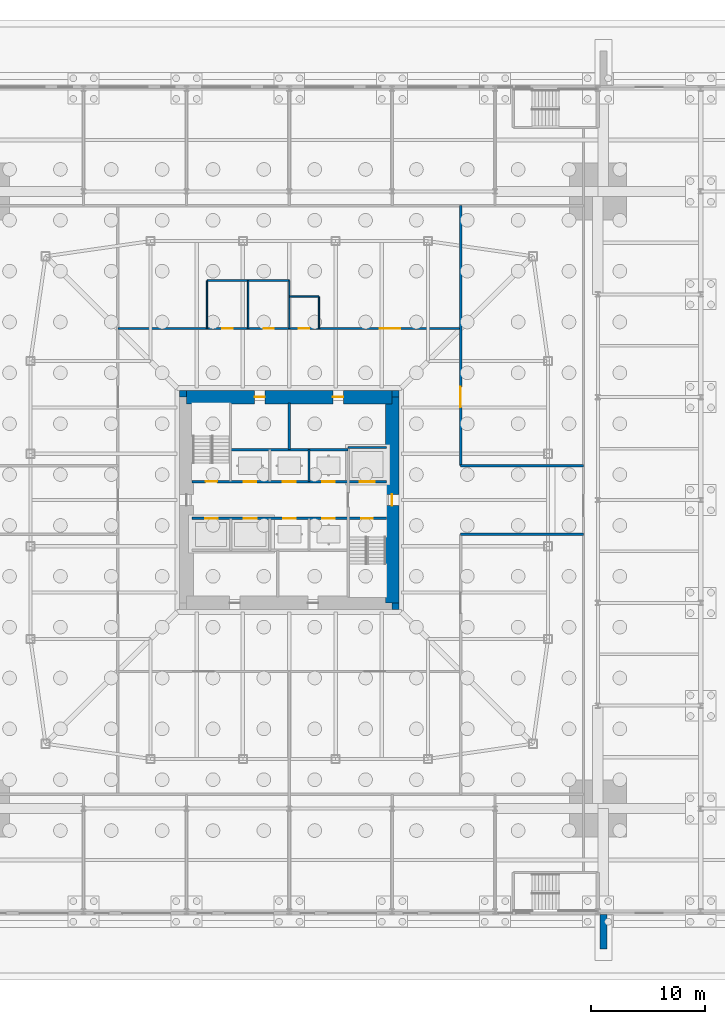
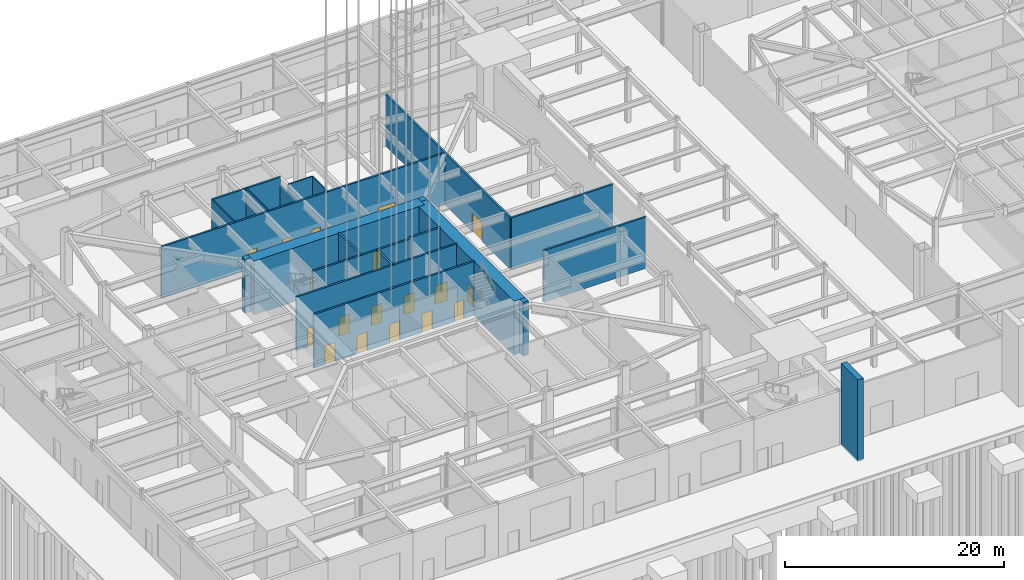
# One storey, part 15 of 37: 22 walls, 18 doors, 18 openings.
"""IFC4 building model written with IfcOpenShell, lengths in metres."""

import ifcopenshell
import ifcopenshell.guid

model = None  # the IFC model being written
_history = None  # IfcOwnerHistory: only IFC2X3 demands one
_inside = {}  # id of a spatial element -> (the spatial element, [elements in it])
_under = {}  # id of a project, library or spatial element -> (it, [spatial elements below it])
_declared = {}  # id of a project -> (the project, [libraries it declares])
_typed = {}  # id of a type object -> (the type object, [elements of that type])
_made_of = {}  # id of a material, layer set ... -> (it, [elements and type objects made of it])


def new_model(schema):
    """Start an empty IFC model of exactly this schema.

    Asked for "IFC4X3", IfcOpenShell would pick the latest addendum, in which some entities
    have other attributes; the version numbers below select the first issue.
    IFC2X3 requires an IfcOwnerHistory on every rooted entity: one is made here for all.
    """
    global model, _history
    if schema == "IFC4X3":
        model = ifcopenshell.file(schema_version=(4, 3, 0, 0))
    else:
        model = ifcopenshell.file(schema=schema)
    _inside.clear()
    _under.clear()
    _declared.clear()
    _typed.clear()
    _made_of.clear()
    _history = None
    if model.schema == "IFC2X3":
        org = make("IfcOrganization", Name="unknown")
        user = make(
            "IfcPersonAndOrganization",
            ThePerson=make("IfcPerson", FamilyName="unknown"),
            TheOrganization=org,
        )
        app = make(
            "IfcApplication",
            ApplicationDeveloper=org,
            Version="unknown",
            ApplicationFullName="unknown",
            ApplicationIdentifier="unknown",
        )
        _history = make(
            "IfcOwnerHistory",
            OwningUser=user,
            OwningApplication=app,
            ChangeAction="ADDED",
            CreationDate=0,
        )
    return model


def make(cls, **values):
    """One entity of the class cls with the attributes given. An attribute that is None is left unset."""
    return model.create_entity(
        cls, **{name: value for name, value in values.items() if value is not None}
    )


def rooted(cls, **values):
    """An entity with a GlobalId (a new one), such as an element, a storey or a relation."""
    return make(cls, GlobalId=ifcopenshell.guid.new(), OwnerHistory=_history, **values)


def si_unit(unit_type, name, prefix=None):
    """IfcSIUnit, for example si_unit("LENGTHUNIT", "METRE", prefix="MILLI")."""
    return make("IfcSIUnit", UnitType=unit_type, Prefix=prefix, Name=name)


def assignment(units):
    """IfcUnitAssignment: the units of a project."""
    return None if units is None else make("IfcUnitAssignment", Units=units)


def point(xyz):
    """IfcCartesianPoint."""
    return None if xyz is None else make("IfcCartesianPoint", Coordinates=xyz)


def direction(xyz):
    """IfcDirection."""
    return None if xyz is None else make("IfcDirection", DirectionRatios=xyz)


def frame(location, z_axis=None, x_axis=None):
    """IfcAxis2Placement3D, a coordinate frame: its origin and axes. An axis left out is left unset."""
    return make(
        "IfcAxis2Placement3D",
        Location=point(location),
        Axis=direction(z_axis),
        RefDirection=direction(x_axis),
    )


def frame_2d(location, x_axis=None):
    """IfcAxis2Placement2D, a coordinate frame in the plane: its origin and x axis."""
    return make(
        "IfcAxis2Placement2D", Location=point(location), RefDirection=direction(x_axis)
    )


def origin():
    """The frame at (0, 0, 0) with its axes left unset."""
    return frame((0.0, 0.0, 0.0))


def place(relative_to, where):
    """IfcLocalPlacement: puts the frame where relative to a parent placement (None: the world)."""
    return make(
        "IfcLocalPlacement", PlacementRelTo=relative_to, RelativePlacement=where
    )


def context(
    kind, dimensions, precision=None, world=None, true_north=None, identifier=None
):
    """IfcGeometricRepresentationContext, for example the 3D "Model" context."""
    return make(
        "IfcGeometricRepresentationContext",
        ContextIdentifier=identifier,
        ContextType=kind,
        CoordinateSpaceDimension=dimensions,
        Precision=precision,
        WorldCoordinateSystem=world,
        TrueNorth=true_north,
    )


def subcontext(parent, identifier, kind, view, scale=None):
    """IfcGeometricRepresentationSubContext, for example "Body" below "Model"."""
    return make(
        "IfcGeometricRepresentationSubContext",
        ContextIdentifier=identifier,
        ContextType=kind,
        ParentContext=parent,
        TargetScale=scale,
        TargetView=view,
    )


def project(units=None, contexts=None):
    """IfcProject with its units and contexts."""
    return rooted(
        "IfcProject",
        Name="project",
        RepresentationContexts=contexts,
        UnitsInContext=assignment(units),
    )


def spatial(cls, under=None, at=None, **own):
    """A site, building, storey or space (cls), placed at a placement, below another one or the project."""
    s = rooted(cls, ObjectPlacement=at, **own)
    if under is not None:
        _under.setdefault(under.id(), (under, []))[1].append(s)
    return s


def profile(cls, at=None, kind="AREA", **sizes):
    """A parametric profile (cls). Its sizes go by their IFC names, for example OverallWidth=200.0."""
    return make(cls, ProfileType=kind, Position=at, **sizes)


def rectangle(**sizes):
    """IfcRectangleProfileDef."""
    return profile("IfcRectangleProfileDef", **sizes)


def extrude(swept, where, along, depth):
    """IfcExtrudedAreaSolid: the profile swept, set in the frame where, extruded along a direction by depth."""
    return make(
        "IfcExtrudedAreaSolid",
        SweptArea=swept,
        Position=where,
        ExtrudedDirection=direction(along),
        Depth=depth,
    )


def shape(context_of_items, identifier, shape_type, items):
    """IfcShapeRepresentation: the items that make up one representation, for example the "Body"."""
    return make(
        "IfcShapeRepresentation",
        ContextOfItems=context_of_items,
        RepresentationIdentifier=identifier,
        RepresentationType=shape_type,
        Items=items,
    )


def material(Name=None, Category=None):
    """IfcMaterial."""
    return make("IfcMaterial", Name=Name, Category=Category)


def layer(
    of_material, thickness, ventilated=None, Name=None, Category=None, Priority=None
):
    """IfcMaterialLayer: one layer of a wall or slab, of a material (None: an air gap)."""
    return make(
        "IfcMaterialLayer",
        Material=of_material,
        LayerThickness=thickness,
        IsVentilated=ventilated,
        Name=Name,
        Category=Category,
        Priority=Priority,
    )


def layer_set(layers, Name=None):
    """IfcMaterialLayerSet."""
    return make("IfcMaterialLayerSet", MaterialLayers=layers, LayerSetName=Name)


def made_of(thing, what):
    """Note that an element or type object is made of a material, layer set ...; save() writes the relation."""
    if what is not None:
        _made_of.setdefault(what.id(), (what, []))[1].append(thing)
    return thing


def type_object(cls, material=None, **own):
    """A type object (cls), such as IfcWallType, which elements share."""
    return made_of(rooted(cls, **own), material)


def element(
    cls,
    number,
    at=None,
    inside=None,
    cuts=None,
    type_object=None,
    material=None,
    context=None,
    identifier="Body",
    shape_type=None,
    held_by="IfcProductDefinitionShape",
    body=None,
    shapes=None,
    **own,
):
    """One element of the class cls, such as IfcWall. Its Tag is "e" and its number.

    at: its placement. inside: the storey or other place that contains it. cuts: it is an
    opening in that element (IfcRelVoidsElement). A single representation is given by context,
    identifier, shape_type and body (its items); several are given by shapes. held_by: the class
    of the entity that holds the representations. save() writes the other relations.
    """
    e = rooted(cls, Tag="e%d" % number, ObjectPlacement=at, **own)
    if body is not None:
        shapes = [shape(context, identifier, shape_type, body)]
    if shapes is not None:
        e.Representation = make(held_by, Representations=shapes)
    if inside is not None:
        _inside.setdefault(inside.id(), (inside, []))[1].append(e)
    if cuts is not None:
        rooted(
            "IfcRelVoidsElement", RelatingBuildingElement=cuts, RelatedOpeningElement=e
        )
    if type_object is not None:
        _typed.setdefault(type_object.id(), (type_object, []))[1].append(e)
    return made_of(e, material)


def fill(opening, filler):
    """IfcRelFillsElement: the door or window that sits in an opening."""
    return rooted(
        "IfcRelFillsElement",
        RelatingOpeningElement=opening,
        RelatedBuildingElement=filler,
    )


def aggregate(whole, parts):
    """IfcRelAggregates: a whole, such as a stair, and the parts it consists of."""
    return rooted("IfcRelAggregates", RelatingObject=whole, RelatedObjects=parts)


def save(model, path):
    """Write the relations noted so far, then the file.

    IfcRelAggregates (storeys below a building ...), IfcRelContainedInSpatialStructure (elements
    in a storey), IfcRelDefinesByType, IfcRelAssociatesMaterial and IfcRelDeclares: one each for
    every whole, place, type object, material and project.
    """
    for whole, parts in _under.values():
        aggregate(whole, parts)
    for where, things in _inside.values():
        rooted(
            "IfcRelContainedInSpatialStructure",
            RelatedElements=things,
            RelatingStructure=where,
        )
    for kind, things in _typed.values():
        rooted("IfcRelDefinesByType", RelatedObjects=things, RelatingType=kind)
    for what, things in _made_of.values():
        rooted("IfcRelAssociatesMaterial", RelatedObjects=things, RelatingMaterial=what)
    for by, libraries in _declared.values():
        rooted("IfcRelDeclares", RelatingContext=by, RelatedDefinitions=libraries)
    model.write(path)


model = new_model("IFC4")

# Units and contexts
model_context = context("Model", 3, precision=1e-05, world=origin(), true_north=direction((0.0, 1.0)))
body_context = subcontext(model_context, "Body", "Model", "MODEL_VIEW")
ifc_project = project(units=[si_unit("LENGTHUNIT", "METRE"), si_unit("AREAUNIT", "SQUARE_METRE"), si_unit("VOLUMEUNIT", "CUBIC_METRE"), si_unit("PLANEANGLEUNIT", "RADIAN"), si_unit("MASSUNIT", "GRAM", prefix="KILO")], contexts=[model_context])

# Site, building, storey
site_placement = place(None, origin())
site = spatial("IfcSite", under=ifc_project, at=site_placement, CompositionType="ELEMENT")
building_placement = place(site_placement, origin())
building = spatial("IfcBuilding", under=site, at=building_placement, Name="Iwan Alto Co-Living Towers", CompositionType="ELEMENT")
storey_placement = place(building_placement, origin())
storey = spatial("IfcBuildingStorey", under=building, at=storey_placement, Name="L00", CompositionType="ELEMENT", Elevation=0.0)

# Walls
ifc_material_1 = material(Name="Fired clay brick facing", Category="masonry")
ifc_layer_1 = layer(ifc_material_1, 0.114990234375, Name="Brick facing", Category="Finish")
ifc_material_2 = material(Name="Concrete f'c 35 MPa", Category="concrete")
ifc_layer_2 = layer(ifc_material_2, 0.485107421875, Name="Reinforced concrete", Category="LoadBearing")
ifc_layer_set_1 = layer_set([ifc_layer_1, ifc_layer_2], Name="IWAN PORTAL WALL 600")
wall_type_1 = type_object("IfcWallType", Name="IWAN PORTAL WALL 600", PredefinedType="SOLIDWALL", material=ifc_layer_set_1)
wall_1_placement = place(storey_placement, frame((27.505615234375, -36.25, -0.14990234375), z_axis=(0.0, 0.0, 1.0), x_axis=(0.0, -1.0, 0.0)))
element("IfcWall", 1, at=wall_1_placement, inside=storey, type_object=wall_type_1, Name="Iwan portal pier S 1", PredefinedType="SOLIDWALL", context=body_context, shape_type="SweptSolid", body=[
    extrude(rectangle(XDim=3.050048828125, YDim=0.60009765625, at=frame_2d((1.52490234375, 0.0))), origin(), (0.0, 0.0, 1.0), 9.14990234375),
])
ifc_material_3 = material(Name="Concrete block masonry f*p 10 MPa", Category="masonry")
ifc_layer_3 = layer(ifc_material_3, 0.199951171875)
ifc_layer_set_2 = layer_set([ifc_layer_3], Name="PODIUM INTERNAL WALL 200")
wall_type_2 = type_object("IfcWallType", Name="PODIUM INTERNAL WALL 200", PredefinedType="SOLIDWALL", material=ifc_layer_set_2)
for number, where, z_axis, x_axis, name in (
    (2, (15.0, -3.0, 0.0), (0.0, 0.0, 1.0), (1.0, 0.0, 0.0), "Partition L00"),
    (3, (15.0, 3.0, 0.0), (0.0, 0.0, 1.0), (1.0, 0.0, 0.0), "Partition L00"),
):
    element("IfcWall", number, at=place(storey_placement, frame(where, z_axis=z_axis, x_axis=x_axis)), inside=storey, type_object=wall_type_2, Name=name, PredefinedType="SOLIDWALL", context=body_context, shape_type="SweptSolid", body=[
        extrude(rectangle(XDim=10.75, YDim=0.199951171875, at=frame_2d((5.375, 0.0))), origin(), (0.0, 0.0, 1.0), 5.75),
    ])

# Wall, openings, doors
wall_2_placement = place(storey_placement, frame((-15.0, 15.0, 0.0), z_axis=(0.0, 0.0, 1.0), x_axis=(1.0, 0.0, 0.0)))
wall_2 = element("IfcWall", 4, at=wall_2_placement, inside=storey, type_object=wall_type_2, Name="Partition L00", PredefinedType="SOLIDWALL", context=body_context, shape_type="SweptSolid", body=[
    extrude(rectangle(XDim=30.0, YDim=0.199951171875, at=frame_2d((15.0, 0.0))), origin(), (0.0, 0.0, 1.0), 5.75),
])
opening_1_placement = place(wall_2_placement, frame((9.14990234375, 0.0, 0.0)))
opening_1 = element("IfcOpeningElement", 5, at=opening_1_placement, cuts=wall_2, Name="Opening D4", PredefinedType="OPENING", context=body_context, shape_type="SweptSolid", body=[
    extrude(rectangle(XDim=0.89990234375, YDim=2.10009765625, at=frame_2d((0.449951171875, 1.050048828125))), frame((0.0, 0.10986328125, 0.0), z_axis=(0.0, -1.0, 0.0), x_axis=(1.0, 0.0, 0.0)), (0.0, 0.0, 1.0), 0.219970703125),
])
opening_2_placement = place(wall_2_placement, frame((12.75, 0.0, 0.0)))
opening_2 = element("IfcOpeningElement", 6, at=opening_2_placement, cuts=wall_2, Name="Opening D4", PredefinedType="OPENING", context=body_context, shape_type="SweptSolid", body=[
    extrude(rectangle(XDim=0.89990234375, YDim=2.10009765625, at=frame_2d((0.449951171875, 1.050048828125))), frame((0.0, 0.10986328125, 0.0), z_axis=(0.0, -1.0, 0.0), x_axis=(1.0, 0.0, 0.0)), (0.0, 0.0, 1.0), 0.219970703125),
])
opening_3_placement = place(wall_2_placement, frame((15.85009765625, 0.0, 0.0)))
opening_3 = element("IfcOpeningElement", 7, at=opening_3_placement, cuts=wall_2, Name="Opening D4", PredefinedType="OPENING", context=body_context, shape_type="SweptSolid", body=[
    extrude(rectangle(XDim=0.89990234375, YDim=2.10009765625, at=frame_2d((0.449951171875, 1.050048828125))), frame((0.0, 0.10986328125, 0.0), z_axis=(0.0, -1.0, 0.0), x_axis=(1.0, 0.0, 0.0)), (0.0, 0.0, 1.0), 0.219970703125),
])
opening_4_placement = place(wall_2_placement, frame((22.89990234375, 0.0, 0.0)))
opening_4 = element("IfcOpeningElement", 8, at=opening_4_placement, cuts=wall_2, Name="Opening D9", PredefinedType="OPENING", context=body_context, shape_type="SweptSolid", body=[
    extrude(rectangle(XDim=1.800048828125, YDim=2.10009765625, at=frame_2d((0.89990234375, 1.050048828125))), frame((0.0, 0.10986328125, 0.0), z_axis=(0.0, -1.0, 0.0), x_axis=(1.0, 0.0, 0.0)), (0.0, 0.0, 1.0), 0.219970703125),
])
ifc_material_4 = material(Name="Steel frame with timber leaf", Category="steel")
door_type_1 = type_object("IfcDoorType", Name="LOUNGE DOOR FD30S 1800X2100", OperationType="DOUBLE_DOOR_SINGLE_SWING", PredefinedType="DOOR", material=ifc_material_4)
door_1_placement = place(opening_4_placement, origin())
door_1 = element("IfcDoor", 9, at=door_1_placement, inside=storey, type_object=door_type_1, Name="Community lounge door L00", OperationType="DOUBLE_DOOR_SINGLE_SWING", OverallHeight=2.10009765625, OverallWidth=1.800048828125, PredefinedType="DOOR", context=body_context, shape_type="SweptSolid", body=[
    extrude(rectangle(XDim=1.800048828125, YDim=2.10009765625, at=frame_2d((0.89990234375, 1.050048828125))), frame((0.0, 0.02490234375, 0.0), z_axis=(0.0, -1.0, 0.0), x_axis=(1.0, 0.0, 0.0)), (0.0, 0.0, 1.0), 0.050048828125),
])
fill(opening_4, door_1)
ifc_material_5 = material(Name="Timber leaf in steel frame", Category="steel")
door_type_2 = type_object("IfcDoorType", Name="WC DOOR 900X2100", OperationType="SINGLE_SWING_LEFT", PredefinedType="DOOR", material=ifc_material_5)
door_2_placement = place(opening_1_placement, origin())
door_2 = element("IfcDoor", 10, at=door_2_placement, inside=storey, type_object=door_type_2, Name="Ladies' WC door L00", OperationType="SINGLE_SWING_LEFT", OverallHeight=2.10009765625, OverallWidth=0.89990234375, PredefinedType="DOOR", context=body_context, shape_type="SweptSolid", body=[
    extrude(rectangle(XDim=0.89990234375, YDim=2.10009765625, at=frame_2d((0.449951171875, 1.050048828125))), frame((0.0, 0.02490234375, 0.0), z_axis=(0.0, -1.0, 0.0), x_axis=(1.0, 0.0, 0.0)), (0.0, 0.0, 1.0), 0.050048828125),
])
fill(opening_1, door_2)
door_3_placement = place(opening_2_placement, origin())
door_3 = element("IfcDoor", 11, at=door_3_placement, inside=storey, type_object=door_type_2, Name="Gents' WC door L00", OperationType="SINGLE_SWING_LEFT", OverallHeight=2.10009765625, OverallWidth=0.89990234375, PredefinedType="DOOR", context=body_context, shape_type="SweptSolid", body=[
    extrude(rectangle(XDim=0.89990234375, YDim=2.10009765625, at=frame_2d((0.449951171875, 1.050048828125))), frame((0.0, 0.02490234375, 0.0), z_axis=(0.0, -1.0, 0.0), x_axis=(1.0, 0.0, 0.0)), (0.0, 0.0, 1.0), 0.050048828125),
])
fill(opening_2, door_3)
door_4_placement = place(opening_3_placement, origin())
door_4 = element("IfcDoor", 12, at=door_4_placement, inside=storey, type_object=door_type_2, Name="Accessible WC door L00", OperationType="SINGLE_SWING_LEFT", OverallHeight=2.10009765625, OverallWidth=0.89990234375, PredefinedType="DOOR", context=body_context, shape_type="SweptSolid", body=[
    extrude(rectangle(XDim=0.89990234375, YDim=2.10009765625, at=frame_2d((0.449951171875, 1.050048828125))), frame((0.0, 0.02490234375, 0.0), z_axis=(0.0, -1.0, 0.0), x_axis=(1.0, 0.0, 0.0)), (0.0, 0.0, 1.0), 0.050048828125),
])
fill(opening_3, door_4)

# Wall
wall_3_placement = place(storey_placement, frame((-7.199951171875, 19.199951171875, 0.0), z_axis=(0.0, 0.0, 1.0), x_axis=(1.0, 0.0, 0.0)))
element("IfcWall", 13, at=wall_3_placement, inside=storey, type_object=wall_type_2, Name="Partition L00", PredefinedType="SOLIDWALL", context=body_context, shape_type="SweptSolid", body=[
    extrude(rectangle(XDim=7.199951171875, YDim=0.199951171875, at=frame_2d((3.60009765625, 0.0))), origin(), (0.0, 0.0, 1.0), 5.75),
])

# Wall, opening, door
wall_4_placement = place(storey_placement, frame((15.0, 3.0, 0.0), z_axis=(0.0, 0.0, 1.0), x_axis=(0.0, 1.0, 0.0)))
wall_4 = element("IfcWall", 14, at=wall_4_placement, inside=storey, type_object=wall_type_2, Name="Partition L00", PredefinedType="SOLIDWALL", context=body_context, shape_type="SweptSolid", body=[
    extrude(rectangle(XDim=22.75, YDim=0.199951171875, at=frame_2d((11.375, 0.0))), origin(), (0.0, 0.0, 1.0), 5.75),
])
opening_5_placement = place(wall_4_placement, frame((5.10009765625, 0.0, 0.0)))
opening_5 = element("IfcOpeningElement", 15, at=opening_5_placement, cuts=wall_4, Name="Opening D9", PredefinedType="OPENING", context=body_context, shape_type="SweptSolid", body=[
    extrude(rectangle(XDim=1.800048828125, YDim=2.10009765625, at=frame_2d((0.89990234375, 1.050048828125))), frame((0.0, 0.10986328125, 0.0), z_axis=(0.0, -1.0, 0.0), x_axis=(1.0, 0.0, 0.0)), (0.0, 0.0, 1.0), 0.219970703125),
])
door_5_placement = place(opening_5_placement, frame((1.800048828125, 0.0, 0.0), z_axis=(0.0, 0.0, 1.0), x_axis=(-1.0, 0.0, 0.0)))
door_5 = element("IfcDoor", 16, at=door_5_placement, inside=storey, type_object=door_type_1, Name="Residents' cafe door L00", OperationType="DOUBLE_DOOR_SINGLE_SWING", OverallHeight=2.10009765625, OverallWidth=1.800048828125, PredefinedType="DOOR", context=body_context, shape_type="SweptSolid", body=[
    extrude(rectangle(XDim=1.800048828125, YDim=2.10009765625, at=frame_2d((0.89990234375, 1.050048828125))), frame((0.0, 0.02490234375, 0.0), z_axis=(0.0, -1.0, 0.0), x_axis=(1.0, 0.0, 0.0)), (0.0, 0.0, 1.0), 0.050048828125),
])
fill(opening_5, door_5)

# Wall, openings, doors
ifc_material_6 = material(Name="Concrete f'c 70 MPa", Category="concrete")
ifc_layer_4 = layer(ifc_material_6, 0.199951171875)
ifc_layer_set_3 = layer_set([ifc_layer_4], Name="SHAFT WALL 200")
wall_type_3 = type_object("IfcWallType", Name="SHAFT WALL 200", PredefinedType="SOLIDWALL", material=ifc_layer_set_3)
wall_5_placement = place(storey_placement, frame((-8.489990234375, -1.60009765625, 0.0), z_axis=(0.0, 0.0, 1.0), x_axis=(1.0, 0.0, 0.0)))
wall_5 = element("IfcWall", 17, at=wall_5_placement, inside=storey, type_object=wall_type_3, Name="Shaft wall L00", PredefinedType="SOLIDWALL", context=body_context, shape_type="SweptSolid", body=[
    extrude(rectangle(XDim=16.97998046875, YDim=0.199951171875, at=frame_2d((8.489990234375, 0.0))), origin(), (0.0, 0.0, 1.0), 6.0),
])
opening_6_placement = place(wall_5_placement, frame((14.81005859375, 0.0, 0.0)))
opening_6 = element("IfcOpeningElement", 18, at=opening_6_placement, cuts=wall_5, Name="Opening D5", PredefinedType="OPENING", context=body_context, shape_type="SweptSolid", body=[
    extrude(rectangle(XDim=1.0, YDim=2.10009765625, at=frame_2d((0.5, 1.050048828125))), frame((0.0, 0.10986328125, 0.0), z_axis=(0.0, -1.0, 0.0), x_axis=(1.0, 0.0, 0.0)), (0.0, 0.0, 1.0), 0.219970703125),
])
opening_7_placement = place(wall_5_placement, frame((1.133056640625, 0.0, 0.0)))
opening_7 = element("IfcOpeningElement", 19, at=opening_7_placement, cuts=wall_5, Name="Opening LD", PredefinedType="OPENING", context=body_context, shape_type="SweptSolid", body=[
    extrude(rectangle(XDim=1.10009765625, YDim=2.10009765625, at=frame_2d((0.550048828125, 1.050048828125))), frame((0.0, 0.10986328125, 0.0), z_axis=(0.0, -1.0, 0.0), x_axis=(1.0, 0.0, 0.0)), (0.0, 0.0, 1.0), 0.219970703125),
])
opening_8_placement = place(wall_5_placement, frame((4.528076171875, 0.0, 0.0)))
opening_8 = element("IfcOpeningElement", 20, at=opening_8_placement, cuts=wall_5, Name="Opening LD", PredefinedType="OPENING", context=body_context, shape_type="SweptSolid", body=[
    extrude(rectangle(XDim=1.10009765625, YDim=2.10009765625, at=frame_2d((0.550048828125, 1.050048828125))), frame((0.0, 0.10986328125, 0.0), z_axis=(0.0, -1.0, 0.0), x_axis=(1.0, 0.0, 0.0)), (0.0, 0.0, 1.0), 0.219970703125),
])
opening_9_placement = place(wall_5_placement, frame((7.952880859375, 0.0, 0.0)))
opening_9 = element("IfcOpeningElement", 21, at=opening_9_placement, cuts=wall_5, Name="Opening LD", PredefinedType="OPENING", context=body_context, shape_type="SweptSolid", body=[
    extrude(rectangle(XDim=1.10009765625, YDim=2.10009765625, at=frame_2d((0.550048828125, 1.050048828125))), frame((0.0, 0.10986328125, 0.0), z_axis=(0.0, -1.0, 0.0), x_axis=(1.0, 0.0, 0.0)), (0.0, 0.0, 1.0), 0.219970703125),
])
opening_10_placement = place(wall_5_placement, frame((11.3779296875, 0.0, 0.0)))
opening_10 = element("IfcOpeningElement", 22, at=opening_10_placement, cuts=wall_5, Name="Opening LD", PredefinedType="OPENING", context=body_context, shape_type="SweptSolid", body=[
    extrude(rectangle(XDim=1.10009765625, YDim=2.10009765625, at=frame_2d((0.550048828125, 1.050048828125))), frame((0.0, 0.10986328125, 0.0), z_axis=(0.0, -1.0, 0.0), x_axis=(1.0, 0.0, 0.0)), (0.0, 0.0, 1.0), 0.219970703125),
])
ifc_material_7 = material(Name="Steel frame with timber leaf", Category="steel")
door_type_3 = type_object("IfcDoorType", Name="LIFT LANDING DOOR 1100X2100", OperationType="DOUBLE_DOOR_SLIDING", PredefinedType="DOOR", material=ifc_material_7)
door_6_placement = place(opening_7_placement, origin())
door_6 = element("IfcDoor", 23, at=door_6_placement, inside=storey, type_object=door_type_3, Name="Lift P1-1 landing door L00", OperationType="DOUBLE_DOOR_SLIDING", OverallHeight=2.10009765625, OverallWidth=1.10009765625, PredefinedType="DOOR", context=body_context, shape_type="SweptSolid", body=[
    extrude(rectangle(XDim=1.10009765625, YDim=2.10009765625, at=frame_2d((0.550048828125, 1.050048828125))), frame((0.0, 0.02490234375, 0.0), z_axis=(0.0, -1.0, 0.0), x_axis=(1.0, 0.0, 0.0)), (0.0, 0.0, 1.0), 0.050048828125),
])
fill(opening_7, door_6)
door_7_placement = place(opening_8_placement, origin())
door_7 = element("IfcDoor", 24, at=door_7_placement, inside=storey, type_object=door_type_3, Name="Lift P1-2 landing door L00", OperationType="DOUBLE_DOOR_SLIDING", OverallHeight=2.10009765625, OverallWidth=1.10009765625, PredefinedType="DOOR", context=body_context, shape_type="SweptSolid", body=[
    extrude(rectangle(XDim=1.10009765625, YDim=2.10009765625, at=frame_2d((0.550048828125, 1.050048828125))), frame((0.0, 0.02490234375, 0.0), z_axis=(0.0, -1.0, 0.0), x_axis=(1.0, 0.0, 0.0)), (0.0, 0.0, 1.0), 0.050048828125),
])
fill(opening_8, door_7)
door_8_placement = place(opening_9_placement, origin())
door_8 = element("IfcDoor", 25, at=door_8_placement, inside=storey, type_object=door_type_3, Name="Lift P2-3 landing door L00", OperationType="DOUBLE_DOOR_SLIDING", OverallHeight=2.10009765625, OverallWidth=1.10009765625, PredefinedType="DOOR", context=body_context, shape_type="SweptSolid", body=[
    extrude(rectangle(XDim=1.10009765625, YDim=2.10009765625, at=frame_2d((0.550048828125, 1.050048828125))), frame((0.0, 0.02490234375, 0.0), z_axis=(0.0, -1.0, 0.0), x_axis=(1.0, 0.0, 0.0)), (0.0, 0.0, 1.0), 0.050048828125),
])
fill(opening_9, door_8)
door_9_placement = place(opening_10_placement, origin())
door_9 = element("IfcDoor", 26, at=door_9_placement, inside=storey, type_object=door_type_3, Name="Lift P2-4 landing door L00", OperationType="DOUBLE_DOOR_SLIDING", OverallHeight=2.10009765625, OverallWidth=1.10009765625, PredefinedType="DOOR", context=body_context, shape_type="SweptSolid", body=[
    extrude(rectangle(XDim=1.10009765625, YDim=2.10009765625, at=frame_2d((0.550048828125, 1.050048828125))), frame((0.0, 0.02490234375, 0.0), z_axis=(0.0, -1.0, 0.0), x_axis=(1.0, 0.0, 0.0)), (0.0, 0.0, 1.0), 0.050048828125),
])
fill(opening_10, door_9)
ifc_material_8 = material(Name="Steel frame with timber leaf", Category="steel")
door_type_4 = type_object("IfcDoorType", Name="STAIR DOOR FD120S 1000X2100", OperationType="SINGLE_SWING_LEFT", PredefinedType="DOOR", material=ifc_material_8)
door_10_placement = place(opening_6_placement, origin())
door_10 = element("IfcDoor", 27, at=door_10_placement, inside=storey, type_object=door_type_4, Name="Stair S2 door L00", OperationType="SINGLE_SWING_LEFT", OverallHeight=2.10009765625, OverallWidth=1.0, PredefinedType="DOOR", context=body_context, shape_type="SweptSolid", body=[
    extrude(rectangle(XDim=1.0, YDim=2.10009765625, at=frame_2d((0.5, 1.050048828125))), frame((0.0, 0.02490234375, 0.0), z_axis=(0.0, -1.0, 0.0), x_axis=(1.0, 0.0, 0.0)), (0.0, 0.0, 1.0), 0.050048828125),
])
fill(opening_6, door_10)

wall_6_placement = place(storey_placement, frame((-8.489990234375, 1.60009765625, 0.0), z_axis=(0.0, 0.0, 1.0), x_axis=(1.0, 0.0, 0.0)))
wall_6 = element("IfcWall", 28, at=wall_6_placement, inside=storey, type_object=wall_type_3, Name="Shaft wall L00", PredefinedType="SOLIDWALL", context=body_context, shape_type="SweptSolid", body=[
    extrude(rectangle(XDim=16.97998046875, YDim=0.199951171875, at=frame_2d((8.489990234375, 0.0))), origin(), (0.0, 0.0, 1.0), 6.0),
])
opening_11_placement = place(wall_6_placement, frame((1.169921875, 0.0, 0.0)))
opening_11 = element("IfcOpeningElement", 29, at=opening_11_placement, cuts=wall_6, Name="Opening D5", PredefinedType="OPENING", context=body_context, shape_type="SweptSolid", body=[
    extrude(rectangle(XDim=1.0, YDim=2.10009765625, at=frame_2d((0.5, 1.050048828125))), frame((0.0, 0.10986328125, 0.0), z_axis=(0.0, -1.0, 0.0), x_axis=(1.0, 0.0, 0.0)), (0.0, 0.0, 1.0), 0.219970703125),
])
opening_12_placement = place(wall_6_placement, frame((4.506103515625, 0.0, 0.0)))
opening_12 = element("IfcOpeningElement", 30, at=opening_12_placement, cuts=wall_6, Name="Opening LD", PredefinedType="OPENING", context=body_context, shape_type="SweptSolid", body=[
    extrude(rectangle(XDim=1.10009765625, YDim=2.10009765625, at=frame_2d((0.550048828125, 1.050048828125))), frame((0.0, 0.10986328125, 0.0), z_axis=(0.0, -1.0, 0.0), x_axis=(1.0, 0.0, 0.0)), (0.0, 0.0, 1.0), 0.219970703125),
])
opening_13_placement = place(wall_6_placement, frame((7.93994140625, 0.0, 0.0)))
opening_13 = element("IfcOpeningElement", 31, at=opening_13_placement, cuts=wall_6, Name="Opening LD", PredefinedType="OPENING", context=body_context, shape_type="SweptSolid", body=[
    extrude(rectangle(XDim=1.10009765625, YDim=2.10009765625, at=frame_2d((0.550048828125, 1.050048828125))), frame((0.0, 0.10986328125, 0.0), z_axis=(0.0, -1.0, 0.0), x_axis=(1.0, 0.0, 0.0)), (0.0, 0.0, 1.0), 0.219970703125),
])
opening_14_placement = place(wall_6_placement, frame((11.3740234375, 0.0, 0.0)))
opening_14 = element("IfcOpeningElement", 32, at=opening_14_placement, cuts=wall_6, Name="Opening LD", PredefinedType="OPENING", context=body_context, shape_type="SweptSolid", body=[
    extrude(rectangle(XDim=1.10009765625, YDim=2.10009765625, at=frame_2d((0.550048828125, 1.050048828125))), frame((0.0, 0.10986328125, 0.0), z_axis=(0.0, -1.0, 0.0), x_axis=(1.0, 0.0, 0.0)), (0.0, 0.0, 1.0), 0.219970703125),
])
opening_15_placement = place(wall_6_placement, frame((14.659912109375, 0.0, 0.0)))
opening_15 = element("IfcOpeningElement", 33, at=opening_15_placement, cuts=wall_6, Name="Opening LD2", PredefinedType="OPENING", context=body_context, shape_type="SweptSolid", body=[
    extrude(rectangle(XDim=1.300048828125, YDim=2.10009765625, at=frame_2d((0.64990234375, 1.050048828125))), frame((0.0, 0.10986328125, 0.0), z_axis=(0.0, -1.0, 0.0), x_axis=(1.0, 0.0, 0.0)), (0.0, 0.0, 1.0), 0.219970703125),
])
door_11_placement = place(opening_12_placement, origin())
door_11 = element("IfcDoor", 34, at=door_11_placement, inside=storey, type_object=door_type_3, Name="Lift P3-1 landing door L00", OperationType="DOUBLE_DOOR_SLIDING", OverallHeight=2.10009765625, OverallWidth=1.10009765625, PredefinedType="DOOR", context=body_context, shape_type="SweptSolid", body=[
    extrude(rectangle(XDim=1.10009765625, YDim=2.10009765625, at=frame_2d((0.550048828125, 1.050048828125))), frame((0.0, 0.02490234375, 0.0), z_axis=(0.0, -1.0, 0.0), x_axis=(1.0, 0.0, 0.0)), (0.0, 0.0, 1.0), 0.050048828125),
])
fill(opening_12, door_11)
door_12_placement = place(opening_13_placement, origin())
door_12 = element("IfcDoor", 35, at=door_12_placement, inside=storey, type_object=door_type_3, Name="Lift P3-2 landing door L00", OperationType="DOUBLE_DOOR_SLIDING", OverallHeight=2.10009765625, OverallWidth=1.10009765625, PredefinedType="DOOR", context=body_context, shape_type="SweptSolid", body=[
    extrude(rectangle(XDim=1.10009765625, YDim=2.10009765625, at=frame_2d((0.550048828125, 1.050048828125))), frame((0.0, 0.02490234375, 0.0), z_axis=(0.0, -1.0, 0.0), x_axis=(1.0, 0.0, 0.0)), (0.0, 0.0, 1.0), 0.050048828125),
])
fill(opening_13, door_12)
door_13_placement = place(opening_14_placement, origin())
door_13 = element("IfcDoor", 36, at=door_13_placement, inside=storey, type_object=door_type_3, Name="Lift P4-3 landing door L00", OperationType="DOUBLE_DOOR_SLIDING", OverallHeight=2.10009765625, OverallWidth=1.10009765625, PredefinedType="DOOR", context=body_context, shape_type="SweptSolid", body=[
    extrude(rectangle(XDim=1.10009765625, YDim=2.10009765625, at=frame_2d((0.550048828125, 1.050048828125))), frame((0.0, 0.02490234375, 0.0), z_axis=(0.0, -1.0, 0.0), x_axis=(1.0, 0.0, 0.0)), (0.0, 0.0, 1.0), 0.050048828125),
])
fill(opening_14, door_13)
ifc_material_9 = material(Name="Steel frame with timber leaf", Category="steel")
door_type_5 = type_object("IfcDoorType", Name="LIFT LANDING DOOR 1300X2100", OperationType="SLIDING_TO_LEFT", PredefinedType="DOOR", material=ifc_material_9)
door_14_placement = place(opening_15_placement, origin())
door_14 = element("IfcDoor", 37, at=door_14_placement, inside=storey, type_object=door_type_5, Name="Lift FL1 landing door L00", OperationType="SLIDING_TO_LEFT", OverallHeight=2.10009765625, OverallWidth=1.300048828125, PredefinedType="DOOR", context=body_context, shape_type="SweptSolid", body=[
    extrude(rectangle(XDim=1.300048828125, YDim=2.10009765625, at=frame_2d((0.64990234375, 1.050048828125))), frame((0.0, 0.02490234375, 0.0), z_axis=(0.0, -1.0, 0.0), x_axis=(1.0, 0.0, 0.0)), (0.0, 0.0, 1.0), 0.050048828125),
])
fill(opening_15, door_14)
door_15_placement = place(opening_11_placement, frame((1.0, 0.0, 0.0), z_axis=(0.0, 0.0, 1.0), x_axis=(-1.0, 0.0, 0.0)))
door_15 = element("IfcDoor", 38, at=door_15_placement, inside=storey, type_object=door_type_4, Name="Stair S1 door L00", OperationType="SINGLE_SWING_RIGHT", OverallHeight=2.10009765625, OverallWidth=1.0, PredefinedType="DOOR", context=body_context, shape_type="SweptSolid", body=[
    extrude(rectangle(XDim=1.0, YDim=2.10009765625, at=frame_2d((0.5, 1.050048828125))), frame((0.0, 0.02490234375, 0.0), z_axis=(0.0, -1.0, 0.0), x_axis=(1.0, 0.0, 0.0)), (0.0, 0.0, 1.0), 0.050048828125),
])
fill(opening_11, door_15)

# Walls
wall_7_placement = place(storey_placement, frame((-5.14990234375, 4.39990234375, 0.0), z_axis=(0.0, 0.0, 1.0), x_axis=(1.0, 0.0, 0.0)))
element("IfcWall", 39, at=wall_7_placement, inside=storey, type_object=wall_type_3, Name="Shaft wall L00", PredefinedType="SOLIDWALL", context=body_context, shape_type="SweptSolid", body=[
    extrude(rectangle(XDim=10.2998046875, YDim=0.199951171875, at=frame_2d((5.14990234375, 0.0))), origin(), (0.0, 0.0, 1.0), 6.0),
])
wall_8_placement = place(storey_placement, frame((5.14990234375, 4.60009765625, 0.0), z_axis=(0.0, 0.0, 1.0), x_axis=(1.0, 0.0, 0.0)))
element("IfcWall", 40, at=wall_8_placement, inside=storey, type_object=wall_type_3, Name="Shaft wall L00", PredefinedType="SOLIDWALL", context=body_context, shape_type="SweptSolid", body=[
    extrude(rectangle(XDim=3.340087890625, YDim=0.199951171875, at=frame_2d((1.669921875, 0.0))), origin(), (0.0, 0.0, 1.0), 6.0),
])
wall_9_placement = place(storey_placement, frame((1.717041015625, 1.60009765625, 0.0), z_axis=(0.0, 0.0, 1.0), x_axis=(0.0, 1.0, 0.0)))
element("IfcWall", 41, at=wall_9_placement, inside=storey, type_object=wall_type_3, Name="Shaft wall L00", PredefinedType="SOLIDWALL", context=body_context, shape_type="SweptSolid", body=[
    extrude(rectangle(XDim=2.7998046875, YDim=0.199951171875, at=frame_2d((1.39990234375, 0.0))), origin(), (0.0, 0.0, 1.0), 6.0),
])
wall_10_placement = place(storey_placement, frame((0.0, 4.39990234375, 0.0), z_axis=(0.0, 0.0, 1.0), x_axis=(0.0, 1.0, 0.0)))
element("IfcWall", 42, at=wall_10_placement, inside=storey, type_object=wall_type_3, Name="Shaft wall L00", PredefinedType="SOLIDWALL", context=body_context, shape_type="SweptSolid", body=[
    extrude(rectangle(XDim=4.090087890625, YDim=0.199951171875, at=frame_2d((2.044921875, 0.0))), origin(), (0.0, 0.0, 1.0), 6.0),
])
ifc_material_10 = material(Name="Concrete f'c 70 MPa", Category="concrete")
ifc_layer_5 = layer(ifc_material_10, 0.60009765625)
ifc_layer_set_4 = layer_set([ifc_layer_5], Name="T1 CORE CORNER FILL 600")
wall_type_4 = type_object("IfcWallType", Name="T1 CORE CORNER FILL 600", PredefinedType="SOLIDWALL", material=ifc_layer_set_4)
for number, where, z_axis, x_axis, name in (
    (43, (9.0, -9.300048828125, 0.0), (0.0, 0.0, 1.0), (1.0, 0.0, 0.0), "T1 core corner SE L00"),
    (44, (9.0, 9.300048828125, 0.0), (0.0, 0.0, 1.0), (1.0, 0.0, 0.0), "T1 core corner NE L00"),
    (45, (-9.60009765625, 9.300048828125, 0.0), (0.0, 0.0, 1.0), (1.0, 0.0, 0.0), "T1 core corner NW L00"),
):
    element("IfcWall", number, at=place(storey_placement, frame(where, z_axis=z_axis, x_axis=x_axis)), inside=storey, type_object=wall_type_4, Name=name, PredefinedType="SOLIDWALL", context=body_context, shape_type="SweptSolid", body=[
        extrude(rectangle(XDim=0.60009765625, YDim=0.60009765625, at=frame_2d((0.300048828125, 0.0))), origin(), (0.0, 0.0, 1.0), 6.0),
    ])

# Wall, openings, doors
ifc_material_11 = material(Name="Concrete f'c 70 MPa", Category="concrete")
ifc_layer_6 = layer(ifc_material_11, 1.199951171875)
ifc_layer_set_5 = layer_set([ifc_layer_6], Name="T1 CORE WALL 1200")
wall_type_5 = type_object("IfcWallType", Name="T1 CORE WALL 1200", PredefinedType="SHEAR", material=ifc_layer_set_5)
wall_11_placement = place(storey_placement, frame((9.0, 9.0, 0.0), z_axis=(0.0, 0.0, 1.0), x_axis=(-1.0, 0.0, 0.0)))
wall_11 = element("IfcWall", 46, at=wall_11_placement, inside=storey, type_object=wall_type_5, Name="T1 core wall N L00", PredefinedType="SHEAR", context=body_context, shape_type="SweptSolid", body=[
    extrude(rectangle(XDim=18.0, YDim=1.199951171875, at=frame_2d((9.0, 0.0))), origin(), (0.0, 0.0, 1.0), 6.0),
])
opening_16_placement = place(wall_11_placement, frame((11.125, 0.0, 0.0)))
opening_16 = element("IfcOpeningElement", 47, at=opening_16_placement, cuts=wall_11, Name="Opening D8", PredefinedType="OPENING", context=body_context, shape_type="SweptSolid", body=[
    extrude(rectangle(XDim=0.89990234375, YDim=2.10009765625, at=frame_2d((0.449951171875, 1.050048828125))), frame((0.0, 0.60986328125, 0.0), z_axis=(0.0, -1.0, 0.0), x_axis=(1.0, 0.0, 0.0)), (0.0, 0.0, 1.0), 1.219970703125),
])
opening_17_placement = place(wall_11_placement, frame((4.27490234375, 0.0, 0.0)))
opening_17 = element("IfcOpeningElement", 48, at=opening_17_placement, cuts=wall_11, Name="Opening D8", PredefinedType="OPENING", context=body_context, shape_type="SweptSolid", body=[
    extrude(rectangle(XDim=0.89990234375, YDim=2.10009765625, at=frame_2d((0.449951171875, 1.050048828125))), frame((0.0, 0.60986328125, 0.0), z_axis=(0.0, -1.0, 0.0), x_axis=(1.0, 0.0, 0.0)), (0.0, 0.0, 1.0), 1.219970703125),
])
ifc_material_12 = material(Name="Steel frame with timber leaf", Category="steel")
door_type_6 = type_object("IfcDoorType", Name="RISER DOOR FD120 900X2100", OperationType="SINGLE_SWING_LEFT", PredefinedType="DOOR", material=ifc_material_12)
door_16_placement = place(opening_16_placement, origin())
door_16 = element("IfcDoor", 49, at=door_16_placement, inside=storey, type_object=door_type_6, Name="Electrical riser core door L00", OperationType="SINGLE_SWING_RIGHT", OverallHeight=2.10009765625, OverallWidth=0.89990234375, PredefinedType="DOOR", context=body_context, shape_type="SweptSolid", body=[
    extrude(rectangle(XDim=0.89990234375, YDim=2.10009765625, at=frame_2d((0.449951171875, 1.050048828125))), frame((0.0, 0.02490234375, 0.0), z_axis=(0.0, -1.0, 0.0), x_axis=(1.0, 0.0, 0.0)), (0.0, 0.0, 1.0), 0.050048828125),
])
fill(opening_16, door_16)
door_17_placement = place(opening_17_placement, origin())
door_17 = element("IfcDoor", 50, at=door_17_placement, inside=storey, type_object=door_type_6, Name="Water and drainage riser core door L00", OperationType="SINGLE_SWING_RIGHT", OverallHeight=2.10009765625, OverallWidth=0.89990234375, PredefinedType="DOOR", context=body_context, shape_type="SweptSolid", body=[
    extrude(rectangle(XDim=0.89990234375, YDim=2.10009765625, at=frame_2d((0.449951171875, 1.050048828125))), frame((0.0, 0.02490234375, 0.0), z_axis=(0.0, -1.0, 0.0), x_axis=(1.0, 0.0, 0.0)), (0.0, 0.0, 1.0), 0.050048828125),
])
fill(opening_17, door_17)

# Wall, opening, door
wall_12_placement = place(storey_placement, frame((9.0, -9.0, 0.0), z_axis=(0.0, 0.0, 1.0), x_axis=(0.0, 1.0, 0.0)))
wall_12 = element("IfcWall", 51, at=wall_12_placement, inside=storey, type_object=wall_type_5, Name="T1 core wall E L00", PredefinedType="SHEAR", context=body_context, shape_type="SweptSolid", body=[
    extrude(rectangle(XDim=18.0, YDim=1.199951171875, at=frame_2d((9.0, 0.0))), origin(), (0.0, 0.0, 1.0), 6.0),
])
opening_18_placement = place(wall_12_placement, frame((8.5, 0.0, 0.0)))
opening_18 = element("IfcOpeningElement", 52, at=opening_18_placement, cuts=wall_12, Name="Opening D7", PredefinedType="OPENING", context=body_context, shape_type="SweptSolid", body=[
    extrude(rectangle(XDim=1.0, YDim=2.10009765625, at=frame_2d((0.5, 1.050048828125))), frame((0.0, 0.60986328125, 0.0), z_axis=(0.0, -1.0, 0.0), x_axis=(1.0, 0.0, 0.0)), (0.0, 0.0, 1.0), 1.219970703125),
])
ifc_material_13 = material(Name="Steel frame with timber leaf", Category="steel")
door_type_7 = type_object("IfcDoorType", Name="CORE DOOR FD120S 1000X2100", OperationType="SINGLE_SWING_LEFT", PredefinedType="DOOR", material=ifc_material_13)
door_18_placement = place(opening_18_placement, origin())
door_18 = element("IfcDoor", 53, at=door_18_placement, inside=storey, type_object=door_type_7, Name="Firefighting lobby core door L00", OperationType="SINGLE_SWING_LEFT", OverallHeight=2.10009765625, OverallWidth=1.0, PredefinedType="DOOR", context=body_context, shape_type="SweptSolid", body=[
    extrude(rectangle(XDim=1.0, YDim=2.10009765625, at=frame_2d((0.5, 1.050048828125))), frame((0.0, 0.02490234375, 0.0), z_axis=(0.0, -1.0, 0.0), x_axis=(1.0, 0.0, 0.0)), (0.0, 0.0, 1.0), 0.050048828125),
])
fill(opening_18, door_18)

# Walls
ifc_material_14 = material(Name="Cement board")
ifc_layer_7 = layer(ifc_material_14, 0.012451171875, Name="Board", Category="Finish")
ifc_material_15 = material(Name="Steel ASTM A1003 ST33H cold-formed studs", Category="steel")
ifc_layer_8 = layer(ifc_material_15, 0.094970703125, Name="Studs", Category="Framing")
ifc_layer_9 = layer(ifc_material_14, 0.012451171875, Name="Board", Category="Finish")
ifc_layer_set_6 = layer_set([ifc_layer_7, ifc_layer_8, ifc_layer_9], Name="WET AREA PARTITION 120")
wall_type_6 = type_object("IfcWallType", Name="WET AREA PARTITION 120", PredefinedType="PARTITIONING", material=ifc_layer_set_6)
wall_13_placement = place(storey_placement, frame((0.0, 17.800048828125, 0.0), z_axis=(0.0, 0.0, 1.0), x_axis=(1.0, 0.0, 0.0)))
element("IfcWall", 54, at=wall_13_placement, inside=storey, type_object=wall_type_6, Name="Partition L00", PredefinedType="PARTITIONING", context=body_context, shape_type="SweptSolid", body=[
    extrude(rectangle(XDim=2.60009765625, YDim=0.1201171875, at=frame_2d((1.300048828125, 0.0))), origin(), (0.0, 0.0, 1.0), 5.75),
])
wall_14_placement = place(storey_placement, frame((2.60009765625, 15.0, 0.0), z_axis=(0.0, 0.0, 1.0), x_axis=(0.0, 1.0, 0.0)))
element("IfcWall", 55, at=wall_14_placement, inside=storey, type_object=wall_type_6, Name="Partition L00", PredefinedType="PARTITIONING", context=body_context, shape_type="SweptSolid", body=[
    extrude(rectangle(XDim=2.800048828125, YDim=0.1201171875, at=frame_2d((1.39990234375, 0.0))), origin(), (0.0, 0.0, 1.0), 5.75),
])
wall_15_placement = place(storey_placement, frame((0.0, 15.0, 0.0), z_axis=(0.0, 0.0, 1.0), x_axis=(0.0, 1.0, 0.0)))
element("IfcWall", 56, at=wall_15_placement, inside=storey, type_object=wall_type_6, Name="Partition L00", PredefinedType="PARTITIONING", context=body_context, shape_type="SweptSolid", body=[
    extrude(rectangle(XDim=4.199951171875, YDim=0.1201171875, at=frame_2d((2.10009765625, 0.0))), origin(), (0.0, 0.0, 1.0), 4.9091796875),
])
for number, where, z_axis, x_axis, name in (
    (57, (-3.60009765625, 15.0, 0.0), (0.0, 0.0, 1.0), (0.0, 1.0, 0.0), "Partition L00"),
    (58, (-7.199951171875, 15.0, 0.0), (0.0, 0.0, 1.0), (0.0, 1.0, 0.0), "Partition L00"),
):
    element("IfcWall", number, at=place(storey_placement, frame(where, z_axis=z_axis, x_axis=x_axis)), inside=storey, type_object=wall_type_6, Name=name, PredefinedType="PARTITIONING", context=body_context, shape_type="SweptSolid", body=[
        extrude(rectangle(XDim=4.199951171875, YDim=0.1201171875, at=frame_2d((2.10009765625, 0.0))), origin(), (0.0, 0.0, 1.0), 5.75),
    ])

save(model, "model.ifc")
